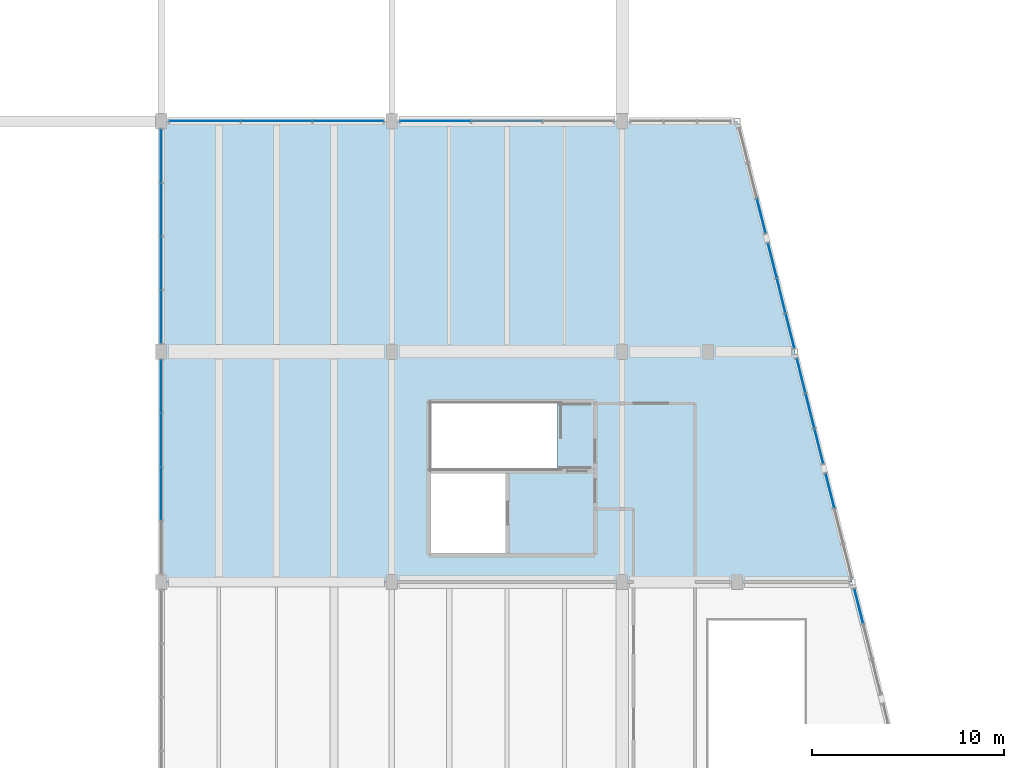
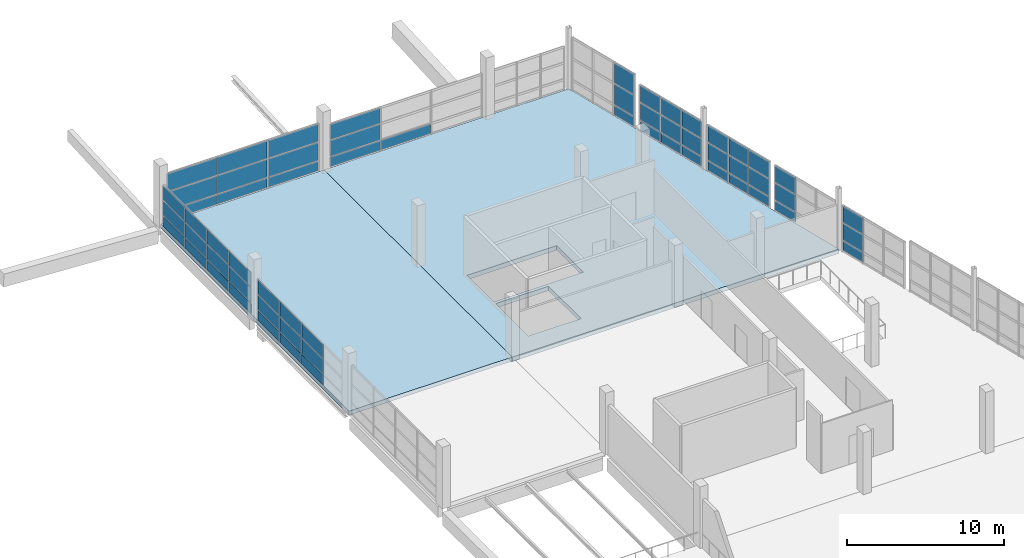
# One storey, part 32 of 49: 61 plates, 2 slabs, 9 elements without a shape of their own.
"""IFC4 building model written with IfcOpenShell, lengths in metres."""

import ifcopenshell
import ifcopenshell.guid

model = None  # the IFC model being written
_history = None  # IfcOwnerHistory: only IFC2X3 demands one
_inside = {}  # id of a spatial element -> (the spatial element, [elements in it])
_under = {}  # id of a project, library or spatial element -> (it, [spatial elements below it])
_declared = {}  # id of a project -> (the project, [libraries it declares])
_typed = {}  # id of a type object -> (the type object, [elements of that type])
_made_of = {}  # id of a material, layer set ... -> (it, [elements and type objects made of it])


def new_model(schema):
    """Start an empty IFC model of exactly this schema.

    Asked for "IFC4X3", IfcOpenShell would pick the latest addendum, in which some entities
    have other attributes; the version numbers below select the first issue.
    IFC2X3 requires an IfcOwnerHistory on every rooted entity: one is made here for all.
    """
    global model, _history
    if schema == "IFC4X3":
        model = ifcopenshell.file(schema_version=(4, 3, 0, 0))
    else:
        model = ifcopenshell.file(schema=schema)
    _inside.clear()
    _under.clear()
    _declared.clear()
    _typed.clear()
    _made_of.clear()
    _history = None
    if model.schema == "IFC2X3":
        org = make("IfcOrganization", Name="unknown")
        user = make(
            "IfcPersonAndOrganization",
            ThePerson=make("IfcPerson", FamilyName="unknown"),
            TheOrganization=org,
        )
        app = make(
            "IfcApplication",
            ApplicationDeveloper=org,
            Version="unknown",
            ApplicationFullName="unknown",
            ApplicationIdentifier="unknown",
        )
        _history = make(
            "IfcOwnerHistory",
            OwningUser=user,
            OwningApplication=app,
            ChangeAction="ADDED",
            CreationDate=0,
        )
    return model


def make(cls, **values):
    """One entity of the class cls with the attributes given. An attribute that is None is left unset."""
    return model.create_entity(
        cls, **{name: value for name, value in values.items() if value is not None}
    )


def rooted(cls, **values):
    """An entity with a GlobalId (a new one), such as an element, a storey or a relation."""
    return make(cls, GlobalId=ifcopenshell.guid.new(), OwnerHistory=_history, **values)


def si_unit(unit_type, name, prefix=None):
    """IfcSIUnit, for example si_unit("LENGTHUNIT", "METRE", prefix="MILLI")."""
    return make("IfcSIUnit", UnitType=unit_type, Prefix=prefix, Name=name)


def assignment(units):
    """IfcUnitAssignment: the units of a project."""
    return None if units is None else make("IfcUnitAssignment", Units=units)


def point(xyz):
    """IfcCartesianPoint."""
    return None if xyz is None else make("IfcCartesianPoint", Coordinates=xyz)


def direction(xyz):
    """IfcDirection."""
    return None if xyz is None else make("IfcDirection", DirectionRatios=xyz)


def frame(location, z_axis=None, x_axis=None):
    """IfcAxis2Placement3D, a coordinate frame: its origin and axes. An axis left out is left unset."""
    return make(
        "IfcAxis2Placement3D",
        Location=point(location),
        Axis=direction(z_axis),
        RefDirection=direction(x_axis),
    )


def frame_2d(location, x_axis=None):
    """IfcAxis2Placement2D, a coordinate frame in the plane: its origin and x axis."""
    return make(
        "IfcAxis2Placement2D", Location=point(location), RefDirection=direction(x_axis)
    )


def origin():
    """The frame at (0, 0, 0) with its axes left unset."""
    return frame((0.0, 0.0, 0.0))


def origin_2d():
    """The frame at (0, 0) in the plane with its x axis left unset."""
    return frame_2d((0.0, 0.0))


def place(relative_to, where):
    """IfcLocalPlacement: puts the frame where relative to a parent placement (None: the world)."""
    return make(
        "IfcLocalPlacement", PlacementRelTo=relative_to, RelativePlacement=where
    )


def context(
    kind, dimensions, precision=None, world=None, true_north=None, identifier=None
):
    """IfcGeometricRepresentationContext, for example the 3D "Model" context."""
    return make(
        "IfcGeometricRepresentationContext",
        ContextIdentifier=identifier,
        ContextType=kind,
        CoordinateSpaceDimension=dimensions,
        Precision=precision,
        WorldCoordinateSystem=world,
        TrueNorth=true_north,
    )


def subcontext(parent, identifier, kind, view, scale=None):
    """IfcGeometricRepresentationSubContext, for example "Body" below "Model"."""
    return make(
        "IfcGeometricRepresentationSubContext",
        ContextIdentifier=identifier,
        ContextType=kind,
        ParentContext=parent,
        TargetScale=scale,
        TargetView=view,
    )


def project(units=None, contexts=None):
    """IfcProject with its units and contexts."""
    return rooted(
        "IfcProject",
        Name="project",
        RepresentationContexts=contexts,
        UnitsInContext=assignment(units),
    )


def spatial(cls, under=None, at=None, **own):
    """A site, building, storey or space (cls), placed at a placement, below another one or the project."""
    s = rooted(cls, ObjectPlacement=at, **own)
    if under is not None:
        _under.setdefault(under.id(), (under, []))[1].append(s)
    return s


def polyline(points):
    """IfcPolyline through the points."""
    return make("IfcPolyline", Points=[point(p) for p in points])


def profile(cls, at=None, kind="AREA", **sizes):
    """A parametric profile (cls). Its sizes go by their IFC names, for example OverallWidth=200.0."""
    return make(cls, ProfileType=kind, Position=at, **sizes)


def rectangle(**sizes):
    """IfcRectangleProfileDef."""
    return profile("IfcRectangleProfileDef", **sizes)


def outline(outer, holes=None, kind="AREA"):
    """IfcArbitraryClosedProfileDef: a profile drawn as a closed curve; with holes, ...WithVoids."""
    if holes is None:
        return make("IfcArbitraryClosedProfileDef", ProfileType=kind, OuterCurve=outer)
    return make(
        "IfcArbitraryProfileDefWithVoids",
        ProfileType=kind,
        OuterCurve=outer,
        InnerCurves=holes,
    )


def extrude(swept, where, along, depth):
    """IfcExtrudedAreaSolid: the profile swept, set in the frame where, extruded along a direction by depth."""
    return make(
        "IfcExtrudedAreaSolid",
        SweptArea=swept,
        Position=where,
        ExtrudedDirection=direction(along),
        Depth=depth,
    )


def shape(context_of_items, identifier, shape_type, items):
    """IfcShapeRepresentation: the items that make up one representation, for example the "Body"."""
    return make(
        "IfcShapeRepresentation",
        ContextOfItems=context_of_items,
        RepresentationIdentifier=identifier,
        RepresentationType=shape_type,
        Items=items,
    )


def material(Name=None, Category=None):
    """IfcMaterial."""
    return make("IfcMaterial", Name=Name, Category=Category)


def layer(
    of_material, thickness, ventilated=None, Name=None, Category=None, Priority=None
):
    """IfcMaterialLayer: one layer of a wall or slab, of a material (None: an air gap)."""
    return make(
        "IfcMaterialLayer",
        Material=of_material,
        LayerThickness=thickness,
        IsVentilated=ventilated,
        Name=Name,
        Category=Category,
        Priority=Priority,
    )


def layer_set(layers, Name=None):
    """IfcMaterialLayerSet."""
    return make("IfcMaterialLayerSet", MaterialLayers=layers, LayerSetName=Name)


def made_of(thing, what):
    """Note that an element or type object is made of a material, layer set ...; save() writes the relation."""
    if what is not None:
        _made_of.setdefault(what.id(), (what, []))[1].append(thing)
    return thing


def type_object(cls, material=None, **own):
    """A type object (cls), such as IfcWallType, which elements share."""
    return made_of(rooted(cls, **own), material)


def element(
    cls,
    number,
    at=None,
    inside=None,
    cuts=None,
    type_object=None,
    material=None,
    context=None,
    identifier="Body",
    shape_type=None,
    held_by="IfcProductDefinitionShape",
    body=None,
    shapes=None,
    **own,
):
    """One element of the class cls, such as IfcWall. Its Tag is "e" and its number.

    at: its placement. inside: the storey or other place that contains it. cuts: it is an
    opening in that element (IfcRelVoidsElement). A single representation is given by context,
    identifier, shape_type and body (its items); several are given by shapes. held_by: the class
    of the entity that holds the representations. save() writes the other relations.
    """
    e = rooted(cls, Tag="e%d" % number, ObjectPlacement=at, **own)
    if body is not None:
        shapes = [shape(context, identifier, shape_type, body)]
    if shapes is not None:
        e.Representation = make(held_by, Representations=shapes)
    if inside is not None:
        _inside.setdefault(inside.id(), (inside, []))[1].append(e)
    if cuts is not None:
        rooted(
            "IfcRelVoidsElement", RelatingBuildingElement=cuts, RelatedOpeningElement=e
        )
    if type_object is not None:
        _typed.setdefault(type_object.id(), (type_object, []))[1].append(e)
    return made_of(e, material)


def aggregate(whole, parts):
    """IfcRelAggregates: a whole, such as a stair, and the parts it consists of."""
    return rooted("IfcRelAggregates", RelatingObject=whole, RelatedObjects=parts)


def save(model, path):
    """Write the relations noted so far, then the file.

    IfcRelAggregates (storeys below a building ...), IfcRelContainedInSpatialStructure (elements
    in a storey), IfcRelDefinesByType, IfcRelAssociatesMaterial and IfcRelDeclares: one each for
    every whole, place, type object, material and project.
    """
    for whole, parts in _under.values():
        aggregate(whole, parts)
    for where, things in _inside.values():
        rooted(
            "IfcRelContainedInSpatialStructure",
            RelatedElements=things,
            RelatingStructure=where,
        )
    for kind, things in _typed.values():
        rooted("IfcRelDefinesByType", RelatedObjects=things, RelatingType=kind)
    for what, things in _made_of.values():
        rooted("IfcRelAssociatesMaterial", RelatedObjects=things, RelatingMaterial=what)
    for by, libraries in _declared.values():
        rooted("IfcRelDeclares", RelatingContext=by, RelatedDefinitions=libraries)
    model.write(path)


model = new_model("IFC4")

# Units and contexts
model_context = context("Model", 3, precision=1e-05, world=origin(), true_north=direction((0.0, 1.0)))
body_context = subcontext(model_context, "Body", "Model", "MODEL_VIEW")
ifc_project = project(units=[si_unit("LENGTHUNIT", "METRE"), si_unit("AREAUNIT", "SQUARE_METRE"), si_unit("VOLUMEUNIT", "CUBIC_METRE"), si_unit("PLANEANGLEUNIT", "RADIAN"), si_unit("MASSUNIT", "GRAM", prefix="KILO")], contexts=[model_context])

# Site, building, storey
site_placement = place(None, origin())
site = spatial("IfcSite", under=ifc_project, at=site_placement, CompositionType="ELEMENT")
building_placement = place(site_placement, origin())
building = spatial("IfcBuilding", under=site, at=building_placement, Name="Kamomehara Wholesale Market", CompositionType="ELEMENT")
storey_placement = place(building_placement, frame((0.0, 0.0, 11.39990234375)))
storey = spatial("IfcBuildingStorey", under=building, at=storey_placement, Name="L02", CompositionType="ELEMENT", Elevation=11.39990234375)

# Curtain wall, plates
ifc_material_1 = material(Name="Anodised aluminium 6063-T5", Category="aluminium")
curtain_wall_type_1 = type_object("IfcCurtainWallType", Name="CW-UN-09", PredefinedType="NOTDEFINED", material=ifc_material_1)
curtain_wall_1_placement = place(storey_placement, origin())
curtain_wall_1 = element("IfcCurtainWall", 1, at=curtain_wall_1_placement, inside=storey, type_object=curtain_wall_type_1, Name="Unitised curtain wall CW-199", PredefinedType="NOTDEFINED")
ifc_material_2 = material(Name="Solar-control Low-E double glazing", Category="glass")
ifc_layer_1 = layer(ifc_material_2, 0.028076171875)
ifc_layer_set_1 = layer_set([ifc_layer_1], Name="Solar-control Low-E double glazing")
plate_type_1 = type_object("IfcPlateType", Name="CW-PNL-GLZ", PredefinedType="CURTAIN_PANEL", material=ifc_layer_set_1)
plate_1_placement = place(storey_placement, frame((192.333984375, 70.74609375, 0.880615234375), z_axis=(0.0, 0.0, 1.0), x_axis=(0.242616162662, -0.970122362187, 0.0)))
plate_1 = element("IfcPlate", 2, at=plate_1_placement, type_object=plate_type_1, Name="Curtain panel CW-199.0.1", PredefinedType="CURTAIN_PANEL", context=body_context, shape_type="SweptSolid", body=[
    extrude(rectangle(XDim=1.81494140625, YDim=0.028076171875, at=origin_2d()), origin(), (0.0, 0.0, 1.0), 1.31494140625),
])
plate_2_placement = place(storey_placement, frame((192.333984375, 70.74609375, 2.255615234375), z_axis=(0.0, 0.0, 1.0), x_axis=(0.242616162662, -0.970122362187, 0.0)))
plate_2 = element("IfcPlate", 3, at=plate_2_placement, type_object=plate_type_1, Name="Curtain panel CW-199.0.2", PredefinedType="CURTAIN_PANEL", context=body_context, shape_type="SweptSolid", body=[
    extrude(rectangle(XDim=1.81494140625, YDim=0.028076171875, at=origin_2d()), origin(), (0.0, 0.0, 1.0), 1.27490234375),
])

curtain_wall_2_placement = place(storey_placement, origin())
curtain_wall_2 = element("IfcCurtainWall", 4, at=curtain_wall_2_placement, inside=storey, type_object=curtain_wall_type_1, Name="Unitised curtain wall CW-201", PredefinedType="NOTDEFINED")
plate_3_placement = place(storey_placement, frame((189.333984375, 82.74609375, 0.880126953125), z_axis=(0.0, 0.0, 1.0), x_axis=(0.242616162662, -0.970122362187, 0.0)))
plate_3 = element("IfcPlate", 5, at=plate_3_placement, type_object=plate_type_1, Name="Curtain panel CW-201.0.1", PredefinedType="CURTAIN_PANEL", context=body_context, shape_type="SweptSolid", body=[
    extrude(rectangle(XDim=1.81494140625, YDim=0.028076171875, at=origin_2d()), origin(), (0.0, 0.0, 1.0), 1.330078125),
])
plate_4_placement = place(storey_placement, frame((189.333984375, 82.74609375, 2.27001953125), z_axis=(0.0, 0.0, 1.0), x_axis=(0.242616162662, -0.970122362187, 0.0)))
plate_4 = element("IfcPlate", 6, at=plate_4_placement, type_object=plate_type_1, Name="Curtain panel CW-201.0.2", PredefinedType="CURTAIN_PANEL", context=body_context, shape_type="SweptSolid", body=[
    extrude(rectangle(XDim=1.81494140625, YDim=0.028076171875, at=origin_2d()), origin(), (0.0, 0.0, 1.0), 1.2900390625),
])
plate_5_placement = place(storey_placement, frame((189.7939453125, 80.907958984375, 0.880126953125), z_axis=(0.0, 0.0, 1.0), x_axis=(0.242616162662, -0.970122362187, 0.0)))
plate_5 = element("IfcPlate", 7, at=plate_5_placement, type_object=plate_type_1, Name="Curtain panel CW-201.1.1", PredefinedType="CURTAIN_PANEL", context=body_context, shape_type="SweptSolid", body=[
    extrude(rectangle(XDim=1.81494140625, YDim=0.028076171875, at=origin_2d()), origin(), (0.0, 0.0, 1.0), 1.330078125),
])
plate_6_placement = place(storey_placement, frame((189.7939453125, 80.907958984375, 2.27001953125), z_axis=(0.0, 0.0, 1.0), x_axis=(0.242616162662, -0.970122362187, 0.0)))
plate_6 = element("IfcPlate", 8, at=plate_6_placement, type_object=plate_type_1, Name="Curtain panel CW-201.1.2", PredefinedType="CURTAIN_PANEL", context=body_context, shape_type="SweptSolid", body=[
    extrude(rectangle(XDim=1.81494140625, YDim=0.028076171875, at=origin_2d()), origin(), (0.0, 0.0, 1.0), 1.2900390625),
])
plate_7_placement = place(storey_placement, frame((190.25390625, 79.070068359375, 0.880126953125), z_axis=(0.0, 0.0, 1.0), x_axis=(0.242616162662, -0.970122362187, 0.0)))
plate_7 = element("IfcPlate", 9, at=plate_7_placement, type_object=plate_type_1, Name="Curtain panel CW-201.2.1", PredefinedType="CURTAIN_PANEL", context=body_context, shape_type="SweptSolid", body=[
    extrude(rectangle(XDim=1.81494140625, YDim=0.028076171875, at=origin_2d()), origin(), (0.0, 0.0, 1.0), 1.330078125),
])
plate_8_placement = place(storey_placement, frame((190.25390625, 79.070068359375, 2.27001953125), z_axis=(0.0, 0.0, 1.0), x_axis=(0.242616162662, -0.970122362187, 0.0)))
plate_8 = element("IfcPlate", 10, at=plate_8_placement, type_object=plate_type_1, Name="Curtain panel CW-201.2.2", PredefinedType="CURTAIN_PANEL", context=body_context, shape_type="SweptSolid", body=[
    extrude(rectangle(XDim=1.81494140625, YDim=0.028076171875, at=origin_2d()), origin(), (0.0, 0.0, 1.0), 1.2900390625),
])

curtain_wall_3_placement = place(storey_placement, origin())
curtain_wall_3 = element("IfcCurtainWall", 11, at=curtain_wall_3_placement, inside=storey, type_object=curtain_wall_type_1, Name="Unitised curtain wall CW-202", PredefinedType="NOTDEFINED")
plate_9_placement = place(storey_placement, frame((190.833984375, 76.7470703125, 0.880615234375), z_axis=(0.0, 0.0, 1.0), x_axis=(0.242497638046, -0.970151996103, 0.0)))
plate_9 = element("IfcPlate", 12, at=plate_9_placement, type_object=plate_type_1, Name="Curtain panel CW-202.0.1", PredefinedType="CURTAIN_PANEL", context=body_context, shape_type="SweptSolid", body=[
    extrude(rectangle(XDim=1.81103515625, YDim=0.028076171875, at=origin_2d()), origin(), (0.0, 0.0, 1.0), 1.31494140625),
])
plate_10_placement = place(storey_placement, frame((190.833984375, 76.7470703125, 2.255615234375), z_axis=(0.0, 0.0, 1.0), x_axis=(0.242497638046, -0.970151996103, 0.0)))
plate_10 = element("IfcPlate", 13, at=plate_10_placement, type_object=plate_type_1, Name="Curtain panel CW-202.0.2", PredefinedType="CURTAIN_PANEL", context=body_context, shape_type="SweptSolid", body=[
    extrude(rectangle(XDim=1.81103515625, YDim=0.028076171875, at=origin_2d()), origin(), (0.0, 0.0, 1.0), 1.27490234375),
])

curtain_wall_4_placement = place(storey_placement, origin())
curtain_wall_4 = element("IfcCurtainWall", 14, at=curtain_wall_4_placement, inside=storey, type_object=curtain_wall_type_1, Name="Unitised curtain wall CW-203", PredefinedType="NOTDEFINED")
plate_11_placement = place(storey_placement, frame((187.25390625, 91.070068359375, 0.87939453125), z_axis=(0.0, 0.0, 1.0), x_axis=(0.242616162662, -0.970122362187, 0.0)))
plate_11 = element("IfcPlate", 15, at=plate_11_placement, type_object=plate_type_1, Name="Curtain panel CW-203.2.1", PredefinedType="CURTAIN_PANEL", context=body_context, shape_type="SweptSolid", body=[
    extrude(rectangle(XDim=1.81494140625, YDim=0.028076171875, at=origin_2d()), origin(), (0.0, 0.0, 1.0), 1.611083984375),
])
plate_12_placement = place(storey_placement, frame((187.25390625, 91.070068359375, 2.55078125), z_axis=(0.0, 0.0, 1.0), x_axis=(0.242616162662, -0.970122362187, 0.0)))
plate_12 = element("IfcPlate", 16, at=plate_12_placement, type_object=plate_type_1, Name="Curtain panel CW-203.2.2", PredefinedType="CURTAIN_PANEL", context=body_context, shape_type="SweptSolid", body=[
    extrude(rectangle(XDim=1.81494140625, YDim=0.028076171875, at=origin_2d()), origin(), (0.0, 0.0, 1.0), 1.571044921875),
])

curtain_wall_5_placement = place(storey_placement, origin())
curtain_wall_5 = element("IfcCurtainWall", 17, at=curtain_wall_5_placement, inside=storey, type_object=curtain_wall_type_1, Name="Unitised curtain wall CW-204", PredefinedType="NOTDEFINED")
plate_13_placement = place(storey_placement, frame((187.833984375, 88.7470703125, 0.880126953125), z_axis=(0.0, 0.0, 1.0), x_axis=(0.242497638046, -0.970151996103, 0.0)))
plate_13 = element("IfcPlate", 18, at=plate_13_placement, type_object=plate_type_1, Name="Curtain panel CW-204.0.1", PredefinedType="CURTAIN_PANEL", context=body_context, shape_type="SweptSolid", body=[
    extrude(rectangle(XDim=1.81103515625, YDim=0.028076171875, at=origin_2d()), origin(), (0.0, 0.0, 1.0), 1.330078125),
])
plate_14_placement = place(storey_placement, frame((187.833984375, 88.7470703125, 2.27001953125), z_axis=(0.0, 0.0, 1.0), x_axis=(0.242497638046, -0.970151996103, 0.0)))
plate_14 = element("IfcPlate", 19, at=plate_14_placement, type_object=plate_type_1, Name="Curtain panel CW-204.0.2", PredefinedType="CURTAIN_PANEL", context=body_context, shape_type="SweptSolid", body=[
    extrude(rectangle(XDim=1.81103515625, YDim=0.028076171875, at=origin_2d()), origin(), (0.0, 0.0, 1.0), 1.2900390625),
])
plate_15_placement = place(storey_placement, frame((188.2919921875, 86.912109375, 0.880126953125), z_axis=(0.0, 0.0, 1.0), x_axis=(0.242497638046, -0.970151996103, 0.0)))
plate_15 = element("IfcPlate", 20, at=plate_15_placement, type_object=plate_type_1, Name="Curtain panel CW-204.1.1", PredefinedType="CURTAIN_PANEL", context=body_context, shape_type="SweptSolid", body=[
    extrude(rectangle(XDim=1.81103515625, YDim=0.028076171875, at=origin_2d()), origin(), (0.0, 0.0, 1.0), 1.330078125),
])
plate_16_placement = place(storey_placement, frame((188.2919921875, 86.912109375, 2.27001953125), z_axis=(0.0, 0.0, 1.0), x_axis=(0.242497638046, -0.970151996103, 0.0)))
plate_16 = element("IfcPlate", 21, at=plate_16_placement, type_object=plate_type_1, Name="Curtain panel CW-204.1.2", PredefinedType="CURTAIN_PANEL", context=body_context, shape_type="SweptSolid", body=[
    extrude(rectangle(XDim=1.81103515625, YDim=0.028076171875, at=origin_2d()), origin(), (0.0, 0.0, 1.0), 1.2900390625),
])
plate_17_placement = place(storey_placement, frame((188.7509765625, 85.076904296875, 0.880126953125), z_axis=(0.0, 0.0, 1.0), x_axis=(0.242497638046, -0.970151996103, 0.0)))
plate_17 = element("IfcPlate", 22, at=plate_17_placement, type_object=plate_type_1, Name="Curtain panel CW-204.2.1", PredefinedType="CURTAIN_PANEL", context=body_context, shape_type="SweptSolid", body=[
    extrude(rectangle(XDim=1.81103515625, YDim=0.028076171875, at=origin_2d()), origin(), (0.0, 0.0, 1.0), 1.330078125),
])
plate_18_placement = place(storey_placement, frame((188.7509765625, 85.076904296875, 2.27001953125), z_axis=(0.0, 0.0, 1.0), x_axis=(0.242497638046, -0.970151996103, 0.0)))
plate_18 = element("IfcPlate", 23, at=plate_18_placement, type_object=plate_type_1, Name="Curtain panel CW-204.2.2", PredefinedType="CURTAIN_PANEL", context=body_context, shape_type="SweptSolid", body=[
    extrude(rectangle(XDim=1.81103515625, YDim=0.028076171875, at=origin_2d()), origin(), (0.0, 0.0, 1.0), 1.2900390625),
])

ifc_material_3 = material(Name="Anodised aluminium 6063-T5", Category="aluminium")
curtain_wall_type_2 = type_object("IfcCurtainWallType", Name="CW-UN-08", PredefinedType="NOTDEFINED", material=ifc_material_3)
curtain_wall_6_placement = place(storey_placement, origin())
curtain_wall_6 = element("IfcCurtainWall", 24, at=curtain_wall_6_placement, inside=storey, type_object=curtain_wall_type_2, Name="Unitised curtain wall CW-205", PredefinedType="NOTDEFINED")
plate_19_placement = place(storey_placement, frame((158.27294921875, 96.02001953125, 0.87939453125), z_axis=(0.0, 0.0, 1.0), x_axis=(1.0, 0.0, 0.0)))
plate_19 = element("IfcPlate", 25, at=plate_19_placement, type_object=plate_type_1, Name="Curtain panel CW-205.0.1", PredefinedType="CURTAIN_PANEL", context=body_context, shape_type="SweptSolid", body=[
    extrude(rectangle(XDim=3.64697265625, YDim=0.028076171875, at=origin_2d()), origin(), (0.0, 0.0, 1.0), 1.405029296875),
])
plate_20_placement = place(storey_placement, frame((158.27294921875, 96.02001953125, 2.345703125), z_axis=(0.0, 0.0, 1.0), x_axis=(1.0, 0.0, 0.0)))
plate_20 = element("IfcPlate", 26, at=plate_20_placement, type_object=plate_type_1, Name="Curtain panel CW-205.0.2", PredefinedType="CURTAIN_PANEL", context=body_context, shape_type="SweptSolid", body=[
    extrude(rectangle(XDim=3.64697265625, YDim=0.028076171875, at=origin_2d()), origin(), (0.0, 0.0, 1.0), 1.364990234375),
])
plate_21_placement = place(storey_placement, frame((162.0, 96.02001953125, 0.87939453125), z_axis=(0.0, 0.0, 1.0), x_axis=(1.0, 0.0, 0.0)))
plate_21 = element("IfcPlate", 27, at=plate_21_placement, type_object=plate_type_1, Name="Curtain panel CW-205.1.1", PredefinedType="CURTAIN_PANEL", context=body_context, shape_type="SweptSolid", body=[
    extrude(rectangle(XDim=3.64697265625, YDim=0.028076171875, at=origin_2d()), origin(), (0.0, 0.0, 1.0), 1.405029296875),
])
plate_22_placement = place(storey_placement, frame((162.0, 96.02001953125, 2.345703125), z_axis=(0.0, 0.0, 1.0), x_axis=(1.0, 0.0, 0.0)))
plate_22 = element("IfcPlate", 28, at=plate_22_placement, type_object=plate_type_1, Name="Curtain panel CW-205.1.2", PredefinedType="CURTAIN_PANEL", context=body_context, shape_type="SweptSolid", body=[
    extrude(rectangle(XDim=3.64697265625, YDim=0.028076171875, at=origin_2d()), origin(), (0.0, 0.0, 1.0), 1.364990234375),
])
plate_23_placement = place(storey_placement, frame((165.72705078125, 96.02001953125, 0.87939453125), z_axis=(0.0, 0.0, 1.0), x_axis=(1.0, 0.0, 0.0)))
plate_23 = element("IfcPlate", 29, at=plate_23_placement, type_object=plate_type_1, Name="Curtain panel CW-205.2.1", PredefinedType="CURTAIN_PANEL", context=body_context, shape_type="SweptSolid", body=[
    extrude(rectangle(XDim=3.64697265625, YDim=0.028076171875, at=origin_2d()), origin(), (0.0, 0.0, 1.0), 1.405029296875),
])
plate_24_placement = place(storey_placement, frame((165.72705078125, 96.02001953125, 2.345703125), z_axis=(0.0, 0.0, 1.0), x_axis=(1.0, 0.0, 0.0)))
plate_24 = element("IfcPlate", 30, at=plate_24_placement, type_object=plate_type_1, Name="Curtain panel CW-205.2.2", PredefinedType="CURTAIN_PANEL", context=body_context, shape_type="SweptSolid", body=[
    extrude(rectangle(XDim=3.64697265625, YDim=0.028076171875, at=origin_2d()), origin(), (0.0, 0.0, 1.0), 1.364990234375),
])

curtain_wall_7_placement = place(storey_placement, origin())
curtain_wall_7 = element("IfcCurtainWall", 31, at=curtain_wall_7_placement, inside=storey, type_object=curtain_wall_type_2, Name="Unitised curtain wall CW-206", PredefinedType="NOTDEFINED")
plate_25_placement = place(storey_placement, frame((170.27294921875, 96.02001953125, 0.880126953125), z_axis=(0.0, 0.0, 1.0), x_axis=(1.0, 0.0, 0.0)))
plate_25 = element("IfcPlate", 32, at=plate_25_placement, type_object=plate_type_1, Name="Curtain panel CW-206.0.1", PredefinedType="CURTAIN_PANEL", context=body_context, shape_type="SweptSolid", body=[
    extrude(rectangle(XDim=3.64697265625, YDim=0.028076171875, at=origin_2d()), origin(), (0.0, 0.0, 1.0), 1.22998046875),
])
plate_26_placement = place(storey_placement, frame((170.27294921875, 96.02001953125, 2.170166015625), z_axis=(0.0, 0.0, 1.0), x_axis=(1.0, 0.0, 0.0)))
plate_26 = element("IfcPlate", 33, at=plate_26_placement, type_object=plate_type_1, Name="Curtain panel CW-206.0.2", PredefinedType="CURTAIN_PANEL", context=body_context, shape_type="SweptSolid", body=[
    extrude(rectangle(XDim=3.64697265625, YDim=0.028076171875, at=origin_2d()), origin(), (0.0, 0.0, 1.0), 1.18994140625),
])

ifc_material_4 = material(Name="Anodised aluminium 6063-T5", Category="aluminium")
curtain_wall_type_3 = type_object("IfcCurtainWallType", Name="CW-UN-01", PredefinedType="NOTDEFINED", material=ifc_material_4)
curtain_wall_8_placement = place(storey_placement, origin())
curtain_wall_8 = element("IfcCurtainWall", 34, at=curtain_wall_8_placement, inside=storey, type_object=curtain_wall_type_3, Name="Unitised curtain wall CW-209", PredefinedType="NOTDEFINED")
plate_27_placement = place(storey_placement, frame((155.97998046875, 76.60205078125, 0.87939453125), z_axis=(0.0, 0.0, 1.0), x_axis=(0.0, 1.0, 0.0)))
plate_27 = element("IfcPlate", 35, at=plate_27_placement, type_object=plate_type_1, Name="Curtain panel CW-209.1.1", PredefinedType="CURTAIN_PANEL", context=body_context, shape_type="SweptSolid", body=[
    extrude(rectangle(XDim=2.715087890625, YDim=0.028076171875, at=origin_2d()), origin(), (0.0, 0.0, 1.0), 1.155029296875),
])
plate_28_placement = place(storey_placement, frame((155.97998046875, 76.60205078125, 2.095703125), z_axis=(0.0, 0.0, 1.0), x_axis=(0.0, 1.0, 0.0)))
plate_28 = element("IfcPlate", 36, at=plate_28_placement, type_object=plate_type_1, Name="Curtain panel CW-209.1.2", PredefinedType="CURTAIN_PANEL", context=body_context, shape_type="SweptSolid", body=[
    extrude(rectangle(XDim=2.715087890625, YDim=0.028076171875, at=origin_2d()), origin(), (0.0, 0.0, 1.0), 1.114990234375),
])
plate_29_placement = place(storey_placement, frame((155.97998046875, 79.39794921875, 0.87939453125), z_axis=(0.0, 0.0, 1.0), x_axis=(0.0, 1.0, 0.0)))
plate_29 = element("IfcPlate", 37, at=plate_29_placement, type_object=plate_type_1, Name="Curtain panel CW-209.2.1", PredefinedType="CURTAIN_PANEL", context=body_context, shape_type="SweptSolid", body=[
    extrude(rectangle(XDim=2.715087890625, YDim=0.028076171875, at=origin_2d()), origin(), (0.0, 0.0, 1.0), 1.155029296875),
])
plate_30_placement = place(storey_placement, frame((155.97998046875, 79.39794921875, 2.095703125), z_axis=(0.0, 0.0, 1.0), x_axis=(0.0, 1.0, 0.0)))
plate_30 = element("IfcPlate", 38, at=plate_30_placement, type_object=plate_type_1, Name="Curtain panel CW-209.2.2", PredefinedType="CURTAIN_PANEL", context=body_context, shape_type="SweptSolid", body=[
    extrude(rectangle(XDim=2.715087890625, YDim=0.028076171875, at=origin_2d()), origin(), (0.0, 0.0, 1.0), 1.114990234375),
])
plate_31_placement = place(storey_placement, frame((155.97998046875, 82.19189453125, 0.87939453125), z_axis=(0.0, 0.0, 1.0), x_axis=(0.0, 1.0, 0.0)))
plate_31 = element("IfcPlate", 39, at=plate_31_placement, type_object=plate_type_1, Name="Curtain panel CW-209.3.1", PredefinedType="CURTAIN_PANEL", context=body_context, shape_type="SweptSolid", body=[
    extrude(rectangle(XDim=2.715087890625, YDim=0.028076171875, at=origin_2d()), origin(), (0.0, 0.0, 1.0), 1.155029296875),
])
plate_32_placement = place(storey_placement, frame((155.97998046875, 82.19189453125, 2.095703125), z_axis=(0.0, 0.0, 1.0), x_axis=(0.0, 1.0, 0.0)))
plate_32 = element("IfcPlate", 40, at=plate_32_placement, type_object=plate_type_1, Name="Curtain panel CW-209.3.2", PredefinedType="CURTAIN_PANEL", context=body_context, shape_type="SweptSolid", body=[
    extrude(rectangle(XDim=2.715087890625, YDim=0.028076171875, at=origin_2d()), origin(), (0.0, 0.0, 1.0), 1.114990234375),
])

curtain_wall_9_placement = place(storey_placement, origin())
curtain_wall_9 = element("IfcCurtainWall", 41, at=curtain_wall_9_placement, inside=storey, type_object=curtain_wall_type_3, Name="Unitised curtain wall CW-210", PredefinedType="NOTDEFINED")
plate_33_placement = place(storey_placement, frame((155.97998046875, 85.80810546875, 0.87939453125), z_axis=(0.0, 0.0, 1.0), x_axis=(0.0, 1.0, 0.0)))
plate_33 = element("IfcPlate", 42, at=plate_33_placement, type_object=plate_type_1, Name="Curtain panel CW-210.0.1", PredefinedType="CURTAIN_PANEL", context=body_context, shape_type="SweptSolid", body=[
    extrude(rectangle(XDim=2.715087890625, YDim=0.028076171875, at=origin_2d()), origin(), (0.0, 0.0, 1.0), 1.155029296875),
])
plate_34_placement = place(storey_placement, frame((155.97998046875, 85.80810546875, 2.095703125), z_axis=(0.0, 0.0, 1.0), x_axis=(0.0, 1.0, 0.0)))
plate_34 = element("IfcPlate", 43, at=plate_34_placement, type_object=plate_type_1, Name="Curtain panel CW-210.0.2", PredefinedType="CURTAIN_PANEL", context=body_context, shape_type="SweptSolid", body=[
    extrude(rectangle(XDim=2.715087890625, YDim=0.028076171875, at=origin_2d()), origin(), (0.0, 0.0, 1.0), 1.114990234375),
])
plate_35_placement = place(storey_placement, frame((155.97998046875, 88.60205078125, 0.87939453125), z_axis=(0.0, 0.0, 1.0), x_axis=(0.0, 1.0, 0.0)))
plate_35 = element("IfcPlate", 44, at=plate_35_placement, type_object=plate_type_1, Name="Curtain panel CW-210.1.1", PredefinedType="CURTAIN_PANEL", context=body_context, shape_type="SweptSolid", body=[
    extrude(rectangle(XDim=2.715087890625, YDim=0.028076171875, at=origin_2d()), origin(), (0.0, 0.0, 1.0), 1.155029296875),
])
plate_36_placement = place(storey_placement, frame((155.97998046875, 88.60205078125, 2.095703125), z_axis=(0.0, 0.0, 1.0), x_axis=(0.0, 1.0, 0.0)))
plate_36 = element("IfcPlate", 45, at=plate_36_placement, type_object=plate_type_1, Name="Curtain panel CW-210.1.2", PredefinedType="CURTAIN_PANEL", context=body_context, shape_type="SweptSolid", body=[
    extrude(rectangle(XDim=2.715087890625, YDim=0.028076171875, at=origin_2d()), origin(), (0.0, 0.0, 1.0), 1.114990234375),
])
plate_37_placement = place(storey_placement, frame((155.97998046875, 91.39794921875, 0.87939453125), z_axis=(0.0, 0.0, 1.0), x_axis=(0.0, 1.0, 0.0)))
plate_37 = element("IfcPlate", 46, at=plate_37_placement, type_object=plate_type_1, Name="Curtain panel CW-210.2.1", PredefinedType="CURTAIN_PANEL", context=body_context, shape_type="SweptSolid", body=[
    extrude(rectangle(XDim=2.715087890625, YDim=0.028076171875, at=origin_2d()), origin(), (0.0, 0.0, 1.0), 1.155029296875),
])
plate_38_placement = place(storey_placement, frame((155.97998046875, 91.39794921875, 2.095703125), z_axis=(0.0, 0.0, 1.0), x_axis=(0.0, 1.0, 0.0)))
plate_38 = element("IfcPlate", 47, at=plate_38_placement, type_object=plate_type_1, Name="Curtain panel CW-210.2.2", PredefinedType="CURTAIN_PANEL", context=body_context, shape_type="SweptSolid", body=[
    extrude(rectangle(XDim=2.715087890625, YDim=0.028076171875, at=origin_2d()), origin(), (0.0, 0.0, 1.0), 1.114990234375),
])
plate_39_placement = place(storey_placement, frame((155.97998046875, 94.19189453125, 0.87939453125), z_axis=(0.0, 0.0, 1.0), x_axis=(0.0, 1.0, 0.0)))
plate_39 = element("IfcPlate", 48, at=plate_39_placement, type_object=plate_type_1, Name="Curtain panel CW-210.3.1", PredefinedType="CURTAIN_PANEL", context=body_context, shape_type="SweptSolid", body=[
    extrude(rectangle(XDim=2.715087890625, YDim=0.028076171875, at=origin_2d()), origin(), (0.0, 0.0, 1.0), 1.155029296875),
])
plate_40_placement = place(storey_placement, frame((155.97998046875, 94.19189453125, 2.095703125), z_axis=(0.0, 0.0, 1.0), x_axis=(0.0, 1.0, 0.0)))
plate_40 = element("IfcPlate", 49, at=plate_40_placement, type_object=plate_type_1, Name="Curtain panel CW-210.3.2", PredefinedType="CURTAIN_PANEL", context=body_context, shape_type="SweptSolid", body=[
    extrude(rectangle(XDim=2.715087890625, YDim=0.028076171875, at=origin_2d()), origin(), (0.0, 0.0, 1.0), 1.114990234375),
])

# Plate
ifc_material_5 = material(Name="Insulated aluminium spandrel panel", Category="aluminium")
ifc_layer_2 = layer(ifc_material_5, 0.0400390625)
ifc_layer_set_2 = layer_set([ifc_layer_2], Name="Insulated aluminium spandrel panel")
plate_type_2 = type_object("IfcPlateType", Name="CW-PNL-SPN", PredefinedType="CURTAIN_PANEL", material=ifc_layer_set_2)
plate_41_placement = place(storey_placement, frame((192.333984375, 70.74609375, 0.070068359375), z_axis=(0.0, 0.0, 1.0), x_axis=(0.242616162662, -0.970122362187, 0.0)))
plate_41 = element("IfcPlate", 50, at=plate_41_placement, type_object=plate_type_2, Name="Curtain panel CW-199.0.0", PredefinedType="CURTAIN_PANEL", context=body_context, shape_type="SweptSolid", body=[
    extrude(rectangle(XDim=1.81494140625, YDim=0.0400390625, at=origin_2d()), origin(), (0.0, 0.0, 1.0), 0.75),
])

aggregate(curtain_wall_1, [plate_41, plate_1, plate_2])

plate_42_placement = place(storey_placement, frame((189.333984375, 82.74609375, 0.070068359375), z_axis=(0.0, 0.0, 1.0), x_axis=(0.242616162662, -0.970122362187, 0.0)))
plate_42 = element("IfcPlate", 51, at=plate_42_placement, type_object=plate_type_2, Name="Curtain panel CW-201.0.0", PredefinedType="CURTAIN_PANEL", context=body_context, shape_type="SweptSolid", body=[
    extrude(rectangle(XDim=1.81494140625, YDim=0.0400390625, at=origin_2d()), origin(), (0.0, 0.0, 1.0), 0.75),
])

plate_43_placement = place(storey_placement, frame((189.7939453125, 80.907958984375, 0.070068359375), z_axis=(0.0, 0.0, 1.0), x_axis=(0.242616162662, -0.970122362187, 0.0)))
plate_43 = element("IfcPlate", 52, at=plate_43_placement, type_object=plate_type_2, Name="Curtain panel CW-201.1.0", PredefinedType="CURTAIN_PANEL", context=body_context, shape_type="SweptSolid", body=[
    extrude(rectangle(XDim=1.81494140625, YDim=0.0400390625, at=origin_2d()), origin(), (0.0, 0.0, 1.0), 0.75),
])

plate_44_placement = place(storey_placement, frame((190.25390625, 79.070068359375, 0.070068359375), z_axis=(0.0, 0.0, 1.0), x_axis=(0.242616162662, -0.970122362187, 0.0)))
plate_44 = element("IfcPlate", 53, at=plate_44_placement, type_object=plate_type_2, Name="Curtain panel CW-201.2.0", PredefinedType="CURTAIN_PANEL", context=body_context, shape_type="SweptSolid", body=[
    extrude(rectangle(XDim=1.81494140625, YDim=0.0400390625, at=origin_2d()), origin(), (0.0, 0.0, 1.0), 0.75),
])

aggregate(curtain_wall_2, [plate_42, plate_3, plate_4, plate_43, plate_5, plate_6, plate_44, plate_7, plate_8])

plate_45_placement = place(storey_placement, frame((190.833984375, 76.7470703125, 0.070068359375), z_axis=(0.0, 0.0, 1.0), x_axis=(0.242497638046, -0.970151996103, 0.0)))
plate_45 = element("IfcPlate", 54, at=plate_45_placement, type_object=plate_type_2, Name="Curtain panel CW-202.0.0", PredefinedType="CURTAIN_PANEL", context=body_context, shape_type="SweptSolid", body=[
    extrude(rectangle(XDim=1.81103515625, YDim=0.0400390625, at=origin_2d()), origin(), (0.0, 0.0, 1.0), 0.75),
])

aggregate(curtain_wall_3, [plate_45, plate_9, plate_10])

plate_46_placement = place(storey_placement, frame((187.25390625, 91.070068359375, 0.070068359375), z_axis=(0.0, 0.0, 1.0), x_axis=(0.242616162662, -0.970122362187, 0.0)))
plate_46 = element("IfcPlate", 55, at=plate_46_placement, type_object=plate_type_2, Name="Curtain panel CW-203.2.0", PredefinedType="CURTAIN_PANEL", context=body_context, shape_type="SweptSolid", body=[
    extrude(rectangle(XDim=1.81494140625, YDim=0.0400390625, at=origin_2d()), origin(), (0.0, 0.0, 1.0), 0.75),
])

aggregate(curtain_wall_4, [plate_46, plate_11, plate_12])

plate_47_placement = place(storey_placement, frame((187.833984375, 88.7470703125, 0.070068359375), z_axis=(0.0, 0.0, 1.0), x_axis=(0.242497638046, -0.970151996103, 0.0)))
plate_47 = element("IfcPlate", 56, at=plate_47_placement, type_object=plate_type_2, Name="Curtain panel CW-204.0.0", PredefinedType="CURTAIN_PANEL", context=body_context, shape_type="SweptSolid", body=[
    extrude(rectangle(XDim=1.81103515625, YDim=0.0400390625, at=origin_2d()), origin(), (0.0, 0.0, 1.0), 0.75),
])

plate_48_placement = place(storey_placement, frame((188.2919921875, 86.912109375, 0.070068359375), z_axis=(0.0, 0.0, 1.0), x_axis=(0.242497638046, -0.970151996103, 0.0)))
plate_48 = element("IfcPlate", 57, at=plate_48_placement, type_object=plate_type_2, Name="Curtain panel CW-204.1.0", PredefinedType="CURTAIN_PANEL", context=body_context, shape_type="SweptSolid", body=[
    extrude(rectangle(XDim=1.81103515625, YDim=0.0400390625, at=origin_2d()), origin(), (0.0, 0.0, 1.0), 0.75),
])

plate_49_placement = place(storey_placement, frame((188.7509765625, 85.076904296875, 0.070068359375), z_axis=(0.0, 0.0, 1.0), x_axis=(0.242497638046, -0.970151996103, 0.0)))
plate_49 = element("IfcPlate", 58, at=plate_49_placement, type_object=plate_type_2, Name="Curtain panel CW-204.2.0", PredefinedType="CURTAIN_PANEL", context=body_context, shape_type="SweptSolid", body=[
    extrude(rectangle(XDim=1.81103515625, YDim=0.0400390625, at=origin_2d()), origin(), (0.0, 0.0, 1.0), 0.75),
])

aggregate(curtain_wall_5, [plate_47, plate_13, plate_14, plate_48, plate_15, plate_16, plate_49, plate_17, plate_18])

plate_50_placement = place(storey_placement, frame((158.27294921875, 96.02001953125, 0.070068359375), z_axis=(0.0, 0.0, 1.0), x_axis=(1.0, 0.0, 0.0)))
plate_50 = element("IfcPlate", 59, at=plate_50_placement, type_object=plate_type_2, Name="Curtain panel CW-205.0.0", PredefinedType="CURTAIN_PANEL", context=body_context, shape_type="SweptSolid", body=[
    extrude(rectangle(XDim=3.64697265625, YDim=0.0400390625, at=origin_2d()), origin(), (0.0, 0.0, 1.0), 0.75),
])

plate_51_placement = place(storey_placement, frame((162.0, 96.02001953125, 0.070068359375), z_axis=(0.0, 0.0, 1.0), x_axis=(1.0, 0.0, 0.0)))
plate_51 = element("IfcPlate", 60, at=plate_51_placement, type_object=plate_type_2, Name="Curtain panel CW-205.1.0", PredefinedType="CURTAIN_PANEL", context=body_context, shape_type="SweptSolid", body=[
    extrude(rectangle(XDim=3.64697265625, YDim=0.0400390625, at=origin_2d()), origin(), (0.0, 0.0, 1.0), 0.75),
])

plate_52_placement = place(storey_placement, frame((165.72705078125, 96.02001953125, 0.070068359375), z_axis=(0.0, 0.0, 1.0), x_axis=(1.0, 0.0, 0.0)))
plate_52 = element("IfcPlate", 61, at=plate_52_placement, type_object=plate_type_2, Name="Curtain panel CW-205.2.0", PredefinedType="CURTAIN_PANEL", context=body_context, shape_type="SweptSolid", body=[
    extrude(rectangle(XDim=3.64697265625, YDim=0.0400390625, at=origin_2d()), origin(), (0.0, 0.0, 1.0), 0.75),
])

aggregate(curtain_wall_6, [plate_50, plate_19, plate_20, plate_51, plate_21, plate_22, plate_52, plate_23, plate_24])

plate_53_placement = place(storey_placement, frame((170.27294921875, 96.02001953125, 0.070068359375), z_axis=(0.0, 0.0, 1.0), x_axis=(1.0, 0.0, 0.0)))
plate_53 = element("IfcPlate", 62, at=plate_53_placement, type_object=plate_type_2, Name="Curtain panel CW-206.0.0", PredefinedType="CURTAIN_PANEL", context=body_context, shape_type="SweptSolid", body=[
    extrude(rectangle(XDim=3.64697265625, YDim=0.0400390625, at=origin_2d()), origin(), (0.0, 0.0, 1.0), 0.75),
])

plate_54_placement = place(storey_placement, frame((174.0, 96.02001953125, 0.070068359375), z_axis=(0.0, 0.0, 1.0), x_axis=(1.0, 0.0, 0.0)))
plate_54 = element("IfcPlate", 63, at=plate_54_placement, type_object=plate_type_2, Name="Curtain panel CW-206.1.0", PredefinedType="CURTAIN_PANEL", context=body_context, shape_type="SweptSolid", body=[
    extrude(rectangle(XDim=3.64697265625, YDim=0.0400390625, at=origin_2d()), origin(), (0.0, 0.0, 1.0), 0.75),
])

aggregate(curtain_wall_7, [plate_53, plate_25, plate_26, plate_54])

plate_55_placement = place(storey_placement, frame((155.97998046875, 76.60205078125, 0.070068359375), z_axis=(0.0, 0.0, 1.0), x_axis=(0.0, 1.0, 0.0)))
plate_55 = element("IfcPlate", 64, at=plate_55_placement, type_object=plate_type_2, Name="Curtain panel CW-209.1.0", PredefinedType="CURTAIN_PANEL", context=body_context, shape_type="SweptSolid", body=[
    extrude(rectangle(XDim=2.715087890625, YDim=0.0400390625, at=origin_2d()), origin(), (0.0, 0.0, 1.0), 0.75),
])

plate_56_placement = place(storey_placement, frame((155.97998046875, 79.39794921875, 0.070068359375), z_axis=(0.0, 0.0, 1.0), x_axis=(0.0, 1.0, 0.0)))
plate_56 = element("IfcPlate", 65, at=plate_56_placement, type_object=plate_type_2, Name="Curtain panel CW-209.2.0", PredefinedType="CURTAIN_PANEL", context=body_context, shape_type="SweptSolid", body=[
    extrude(rectangle(XDim=2.715087890625, YDim=0.0400390625, at=origin_2d()), origin(), (0.0, 0.0, 1.0), 0.75),
])

plate_57_placement = place(storey_placement, frame((155.97998046875, 82.19189453125, 0.070068359375), z_axis=(0.0, 0.0, 1.0), x_axis=(0.0, 1.0, 0.0)))
plate_57 = element("IfcPlate", 66, at=plate_57_placement, type_object=plate_type_2, Name="Curtain panel CW-209.3.0", PredefinedType="CURTAIN_PANEL", context=body_context, shape_type="SweptSolid", body=[
    extrude(rectangle(XDim=2.715087890625, YDim=0.0400390625, at=origin_2d()), origin(), (0.0, 0.0, 1.0), 0.75),
])

aggregate(curtain_wall_8, [plate_55, plate_27, plate_28, plate_56, plate_29, plate_30, plate_57, plate_31, plate_32])

plate_58_placement = place(storey_placement, frame((155.97998046875, 85.80810546875, 0.070068359375), z_axis=(0.0, 0.0, 1.0), x_axis=(0.0, 1.0, 0.0)))
plate_58 = element("IfcPlate", 67, at=plate_58_placement, type_object=plate_type_2, Name="Curtain panel CW-210.0.0", PredefinedType="CURTAIN_PANEL", context=body_context, shape_type="SweptSolid", body=[
    extrude(rectangle(XDim=2.715087890625, YDim=0.0400390625, at=origin_2d()), origin(), (0.0, 0.0, 1.0), 0.75),
])

plate_59_placement = place(storey_placement, frame((155.97998046875, 88.60205078125, 0.070068359375), z_axis=(0.0, 0.0, 1.0), x_axis=(0.0, 1.0, 0.0)))
plate_59 = element("IfcPlate", 68, at=plate_59_placement, type_object=plate_type_2, Name="Curtain panel CW-210.1.0", PredefinedType="CURTAIN_PANEL", context=body_context, shape_type="SweptSolid", body=[
    extrude(rectangle(XDim=2.715087890625, YDim=0.0400390625, at=origin_2d()), origin(), (0.0, 0.0, 1.0), 0.75),
])

plate_60_placement = place(storey_placement, frame((155.97998046875, 91.39794921875, 0.070068359375), z_axis=(0.0, 0.0, 1.0), x_axis=(0.0, 1.0, 0.0)))
plate_60 = element("IfcPlate", 69, at=plate_60_placement, type_object=plate_type_2, Name="Curtain panel CW-210.2.0", PredefinedType="CURTAIN_PANEL", context=body_context, shape_type="SweptSolid", body=[
    extrude(rectangle(XDim=2.715087890625, YDim=0.0400390625, at=origin_2d()), origin(), (0.0, 0.0, 1.0), 0.75),
])

plate_61_placement = place(storey_placement, frame((155.97998046875, 94.19189453125, 0.070068359375), z_axis=(0.0, 0.0, 1.0), x_axis=(0.0, 1.0, 0.0)))
plate_61 = element("IfcPlate", 70, at=plate_61_placement, type_object=plate_type_2, Name="Curtain panel CW-210.3.0", PredefinedType="CURTAIN_PANEL", context=body_context, shape_type="SweptSolid", body=[
    extrude(rectangle(XDim=2.715087890625, YDim=0.0400390625, at=origin_2d()), origin(), (0.0, 0.0, 1.0), 0.75),
])

aggregate(curtain_wall_9, [plate_58, plate_33, plate_34, plate_59, plate_35, plate_36, plate_60, plate_37, plate_38, plate_61, plate_39, plate_40])

# Slabs
ifc_material_6 = material(Name="Concrete Fc36 (C35/45)", Category="concrete")
ifc_layer_3 = layer(ifc_material_6, 0.31005859375)
ifc_layer_set_3 = layer_set([ifc_layer_3], Name="Concrete Fc36 (C35/45)")
slab_type_1 = type_object("IfcSlabType", Name="SLB-FLR-220", PredefinedType="FLOOR", material=ifc_layer_set_3)
slab_1_placement = place(storey_placement, frame((0.0, 0.0, -0.309814453125)))
element("IfcSlab", 71, at=slab_1_placement, inside=storey, type_object=slab_type_1, Name="Floor slab V2 L02 125", PredefinedType="FLOOR", context=body_context, shape_type="SweptSolid", body=[
    extrude(outline(polyline([(168.0, 72.0), (156.0, 72.0), (156.0, 96.0), (168.0, 96.0), (168.0, 72.0)])), origin(), (0.0, 0.0, 1.0), 0.309814453125),
])
ifc_material_7 = material(Name="Concrete Fc36 (C35/45)", Category="concrete")
ifc_layer_4 = layer(ifc_material_7, 0.35009765625)
ifc_layer_set_4 = layer_set([ifc_layer_4], Name="Concrete Fc36 (C35/45)")
slab_type_2 = type_object("IfcSlabType", Name="SLB-FLR-300", PredefinedType="FLOOR", material=ifc_layer_set_4)
slab_2_placement = place(storey_placement, frame((0.0, 0.0, -0.349853515625)))
element("IfcSlab", 72, at=slab_2_placement, inside=storey, type_object=slab_type_2, Name="Floor slab V2 L02 128", PredefinedType="FLOOR", context=body_context, shape_type="SweptSolid", body=[
    extrude(outline(polyline([(186.0, 96.0), (189.0, 84.0), (192.0, 72.0), (168.0, 72.0), (168.0, 96.0), (186.0, 96.0)]), holes=[polyline([(176.6298828125, 77.89990234375), (176.6298828125, 81.300048828125), (170.050048828125, 81.300048828125), (170.050048828125, 77.89990234375), (176.6298828125, 77.89990234375)]), polyline([(173.929931640625, 73.52001953125), (173.929931640625, 77.659912109375), (170.050048828125, 77.659912109375), (170.050048828125, 73.52001953125), (173.929931640625, 73.52001953125)])]), origin(), (0.0, 0.0, 1.0), 0.349853515625),
])

save(model, "model.ifc")
